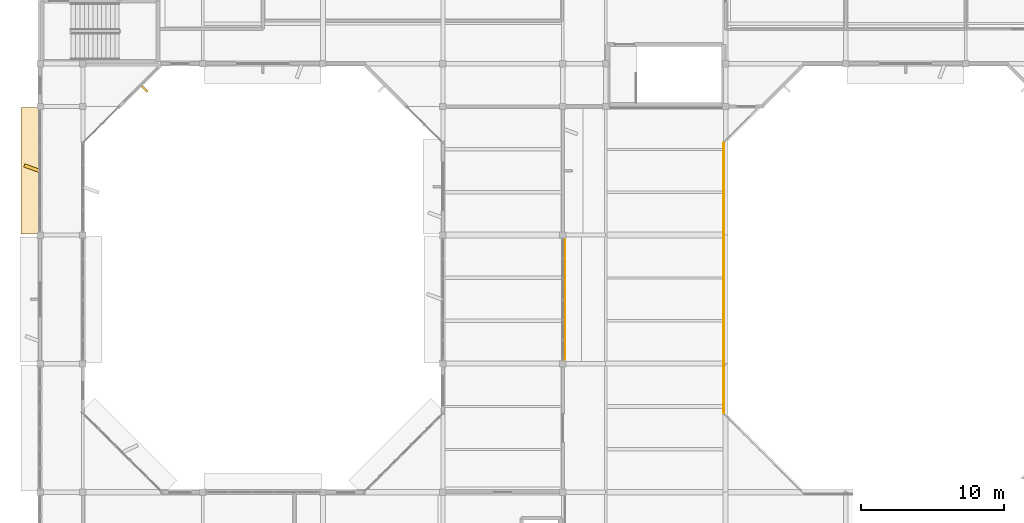
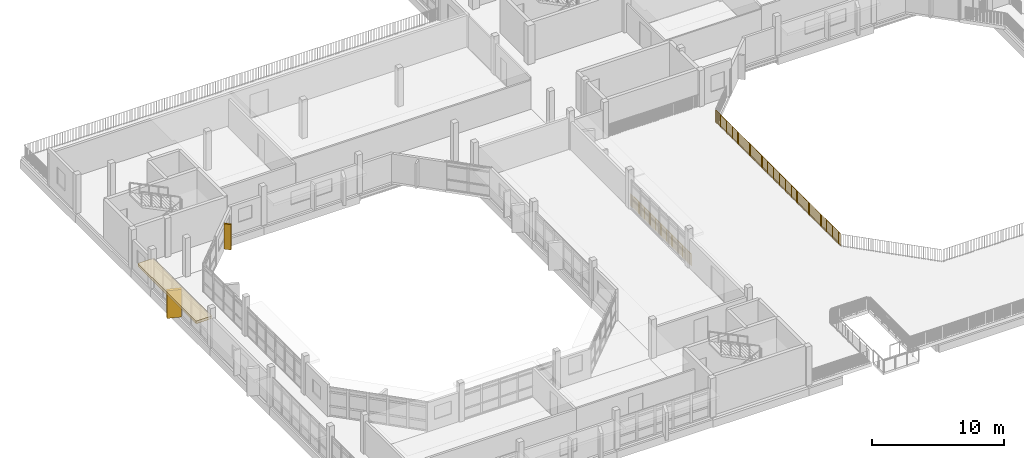
# One storey, part 33 of 42: 2 coverings, 2 railings, 1 shading device.
"""IFC4 building model written with IfcOpenShell, lengths in metres."""

from ifc_helpers import new_model, si_unit, direction, frame, origin, origin_2d, place, context, subcontext, project, spatial, rectangle, circle, extrude, material, layer, layer_set, type_object, element, save


model = new_model("IFC4")

# Units and contexts
model_context = context("Model", 3, precision=1e-05, world=origin(), true_north=direction((0.0, 1.0)))
body_context = subcontext(model_context, "Body", "Model", "MODEL_VIEW")
ifc_project = project(units=[si_unit("LENGTHUNIT", "METRE"), si_unit("AREAUNIT", "SQUARE_METRE"), si_unit("VOLUMEUNIT", "CUBIC_METRE"), si_unit("PLANEANGLEUNIT", "RADIAN"), si_unit("MASSUNIT", "GRAM", prefix="KILO")], contexts=[model_context])

# Site, building, storey
site_placement = place(None, origin())
site = spatial("IfcSite", under=ifc_project, at=site_placement, CompositionType="ELEMENT")
building_placement = place(site_placement, origin())
building = spatial("IfcBuilding", under=site, at=building_placement, Name="Vanh Quang Courtyard School", CompositionType="ELEMENT")
storey_placement = place(building_placement, frame((0.0, 0.0, 15.0)))
storey = spatial("IfcBuildingStorey", under=building, at=storey_placement, Name="L04", CompositionType="ELEMENT", Elevation=15.0)

# Coverings
ifc_material_1 = material(Name="Board-marked precast concrete C40/50", Category="concrete")
ifc_layer = layer(ifc_material_1, 0.239990234375)
ifc_layer_set = layer_set([ifc_layer], Name="Board-marked precast concrete C40/50")
covering_type = type_object("IfcCoveringType", Name="COV-HOOD-CONC", PredefinedType="CLADDING", material=ifc_layer_set)
covering_1_placement = place(storey_placement, frame((37.179931640625, 63.89990234375, 2.41015625), z_axis=(0.0, 0.0, 1.0), x_axis=(0.0, 1.0, 0.0)))
element("IfcCovering", 1, at=covering_1_placement, inside=storey, type_object=covering_type, Name="Covering CH-01 (L04)", PredefinedType="CLADDING", context=body_context, shape_type="SweptSolid", body=[
    extrude(rectangle(XDim=8.833984375, YDim=1.39990234375, at=origin_2d()), origin(), (0.0, 0.0, 1.0), 0.239990234375),
])
covering_2_placement = place(storey_placement, frame((37.215087890625, 64.090087890625, 0.0), z_axis=(0.0, 0.0, 1.0), x_axis=(-0.94028812701, 0.340379550213, 0.0)))
element("IfcCovering", 2, at=covering_2_placement, inside=storey, type_object=covering_type, Name="Covering CH-01 (L04)", PredefinedType="CLADDING", context=body_context, shape_type="SweptSolid", body=[
    extrude(rectangle(XDim=1.11669921875, YDim=0.239990234375, at=origin_2d()), origin(), (0.0, 0.0, 1.0), 2.56005859375),
])

# Railings
ifc_material_2 = material(Name="Galvanised painted steel EN 10025-2 S355J2", Category="steel")
railing_type = type_object("IfcRailingType", Name="RAIL-GUARD-1150", PredefinedType="BALUSTRADE", material=ifc_material_2)
railing_1_placement = place(storey_placement, frame((74.5400390625, 50.319580078125, 0.0)))
element("IfcRailing", 3, at=railing_1_placement, inside=storey, type_object=railing_type, Name="Railing GR-01 (L04)", PredefinedType="BALUSTRADE", context=body_context, shape_type="SweptSolid", body=[
    extrude(circle(Radius=0.02392578125, at=origin_2d()), frame((0.0, 0.0, 1.1259765625), z_axis=(0.0, 1.0, 0.0), x_axis=(-1.0, 0.0, 0.0)), (0.0, 0.0, 1.0), 9.16064453125),
    extrude(circle(Radius=0.02099609375, at=origin_2d()), origin(), (0.0, 0.0, 1.0), 1.101806640625),
    extrude(circle(Radius=0.02099609375, at=origin_2d()), frame((0.0, 0.138916015625, 0.0)), (0.0, 0.0, 1.0), 1.101806640625),
    extrude(circle(Radius=0.02099609375, at=origin_2d()), frame((0.0, 0.277587890625, 0.0)), (0.0, 0.0, 1.0), 1.101806640625),
    extrude(circle(Radius=0.02099609375, at=origin_2d()), frame((0.0, 0.41650390625, 0.0)), (0.0, 0.0, 1.0), 1.101806640625),
    extrude(circle(Radius=0.02099609375, at=origin_2d()), frame((0.0, 0.55517578125, 0.0)), (0.0, 0.0, 1.0), 1.101806640625),
    extrude(circle(Radius=0.02099609375, at=origin_2d()), frame((0.0, 0.694091796875, 0.0)), (0.0, 0.0, 1.0), 1.101806640625),
    extrude(circle(Radius=0.02099609375, at=origin_2d()), frame((0.0, 0.832763671875, 0.0)), (0.0, 0.0, 1.0), 1.101806640625),
    extrude(circle(Radius=0.02099609375, at=origin_2d()), frame((0.0, 0.9716796875, 0.0)), (0.0, 0.0, 1.0), 1.101806640625),
    extrude(circle(Radius=0.02099609375, at=origin_2d()), frame((0.0, 1.1103515625, 0.0)), (0.0, 0.0, 1.0), 1.101806640625),
    extrude(circle(Radius=0.02099609375, at=origin_2d()), frame((0.0, 1.249267578125, 0.0)), (0.0, 0.0, 1.0), 1.101806640625),
    extrude(circle(Radius=0.02099609375, at=origin_2d()), frame((0.0, 1.387939453125, 0.0)), (0.0, 0.0, 1.0), 1.101806640625),
    extrude(circle(Radius=0.02099609375, at=origin_2d()), frame((0.0, 1.52685546875, 0.0)), (0.0, 0.0, 1.0), 1.101806640625),
    extrude(circle(Radius=0.02099609375, at=origin_2d()), frame((0.0, 1.66552734375, 0.0)), (0.0, 0.0, 1.0), 1.101806640625),
    extrude(circle(Radius=0.02099609375, at=origin_2d()), frame((0.0, 1.804443359375, 0.0)), (0.0, 0.0, 1.0), 1.101806640625),
    extrude(circle(Radius=0.02099609375, at=origin_2d()), frame((0.0, 1.943115234375, 0.0)), (0.0, 0.0, 1.0), 1.101806640625),
    extrude(circle(Radius=0.02099609375, at=origin_2d()), frame((0.0, 2.08203125, 0.0)), (0.0, 0.0, 1.0), 1.101806640625),
    extrude(circle(Radius=0.02099609375, at=origin_2d()), frame((0.0, 2.220703125, 0.0)), (0.0, 0.0, 1.0), 1.101806640625),
    extrude(circle(Radius=0.02099609375, at=origin_2d()), frame((0.0, 2.359619140625, 0.0)), (0.0, 0.0, 1.0), 1.101806640625),
    extrude(circle(Radius=0.02099609375, at=origin_2d()), frame((0.0, 2.498291015625, 0.0)), (0.0, 0.0, 1.0), 1.101806640625),
    extrude(circle(Radius=0.02099609375, at=origin_2d()), frame((0.0, 2.63720703125, 0.0)), (0.0, 0.0, 1.0), 1.101806640625),
    extrude(circle(Radius=0.02099609375, at=origin_2d()), frame((0.0, 2.77587890625, 0.0)), (0.0, 0.0, 1.0), 1.101806640625),
    extrude(circle(Radius=0.02099609375, at=origin_2d()), frame((0.0, 2.914794921875, 0.0)), (0.0, 0.0, 1.0), 1.101806640625),
    extrude(circle(Radius=0.02099609375, at=origin_2d()), frame((0.0, 3.053466796875, 0.0)), (0.0, 0.0, 1.0), 1.101806640625),
    extrude(circle(Radius=0.02099609375, at=origin_2d()), frame((0.0, 3.1923828125, 0.0)), (0.0, 0.0, 1.0), 1.101806640625),
    extrude(circle(Radius=0.02099609375, at=origin_2d()), frame((0.0, 3.3310546875, 0.0)), (0.0, 0.0, 1.0), 1.101806640625),
    extrude(circle(Radius=0.02099609375, at=origin_2d()), frame((0.0, 3.469970703125, 0.0)), (0.0, 0.0, 1.0), 1.101806640625),
    extrude(circle(Radius=0.02099609375, at=origin_2d()), frame((0.0, 3.608642578125, 0.0)), (0.0, 0.0, 1.0), 1.101806640625),
    extrude(circle(Radius=0.02099609375, at=origin_2d()), frame((0.0, 3.74755859375, 0.0)), (0.0, 0.0, 1.0), 1.101806640625),
    extrude(circle(Radius=0.02099609375, at=origin_2d()), frame((0.0, 3.88623046875, 0.0)), (0.0, 0.0, 1.0), 1.101806640625),
    extrude(circle(Radius=0.02099609375, at=origin_2d()), frame((0.0, 4.025146484375, 0.0)), (0.0, 0.0, 1.0), 1.101806640625),
    extrude(circle(Radius=0.02099609375, at=origin_2d()), frame((0.0, 4.163818359375, 0.0)), (0.0, 0.0, 1.0), 1.101806640625),
    extrude(circle(Radius=0.02099609375, at=origin_2d()), frame((0.0, 4.302734375, 0.0)), (0.0, 0.0, 1.0), 1.101806640625),
    extrude(circle(Radius=0.02099609375, at=origin_2d()), frame((0.0, 4.44140625, 0.0)), (0.0, 0.0, 1.0), 1.101806640625),
    extrude(circle(Radius=0.02099609375, at=origin_2d()), frame((0.0, 4.580322265625, 0.0)), (0.0, 0.0, 1.0), 1.101806640625),
    extrude(circle(Radius=0.02099609375, at=origin_2d()), frame((0.0, 4.71923828125, 0.0)), (0.0, 0.0, 1.0), 1.101806640625),
    extrude(circle(Radius=0.02099609375, at=origin_2d()), frame((0.0, 4.85791015625, 0.0)), (0.0, 0.0, 1.0), 1.101806640625),
    extrude(circle(Radius=0.02099609375, at=origin_2d()), frame((0.0, 4.996826171875, 0.0)), (0.0, 0.0, 1.0), 1.101806640625),
    extrude(circle(Radius=0.02099609375, at=origin_2d()), frame((0.0, 5.135498046875, 0.0)), (0.0, 0.0, 1.0), 1.101806640625),
    extrude(circle(Radius=0.02099609375, at=origin_2d()), frame((0.0, 5.2744140625, 0.0)), (0.0, 0.0, 1.0), 1.101806640625),
    extrude(circle(Radius=0.02099609375, at=origin_2d()), frame((0.0, 5.4130859375, 0.0)), (0.0, 0.0, 1.0), 1.101806640625),
    extrude(circle(Radius=0.02099609375, at=origin_2d()), frame((0.0, 5.552001953125, 0.0)), (0.0, 0.0, 1.0), 1.101806640625),
    extrude(circle(Radius=0.02099609375, at=origin_2d()), frame((0.0, 5.690673828125, 0.0)), (0.0, 0.0, 1.0), 1.101806640625),
    extrude(circle(Radius=0.02099609375, at=origin_2d()), frame((0.0, 5.82958984375, 0.0)), (0.0, 0.0, 1.0), 1.101806640625),
    extrude(circle(Radius=0.02099609375, at=origin_2d()), frame((0.0, 5.96826171875, 0.0)), (0.0, 0.0, 1.0), 1.101806640625),
    extrude(circle(Radius=0.02099609375, at=origin_2d()), frame((0.0, 6.107177734375, 0.0)), (0.0, 0.0, 1.0), 1.101806640625),
    extrude(circle(Radius=0.02099609375, at=origin_2d()), frame((0.0, 6.245849609375, 0.0)), (0.0, 0.0, 1.0), 1.101806640625),
    extrude(circle(Radius=0.02099609375, at=origin_2d()), frame((0.0, 6.384765625, 0.0)), (0.0, 0.0, 1.0), 1.101806640625),
    extrude(circle(Radius=0.02099609375, at=origin_2d()), frame((0.0, 6.5234375, 0.0)), (0.0, 0.0, 1.0), 1.101806640625),
    extrude(circle(Radius=0.02099609375, at=origin_2d()), frame((0.0, 6.662353515625, 0.0)), (0.0, 0.0, 1.0), 1.101806640625),
    extrude(circle(Radius=0.02099609375, at=origin_2d()), frame((0.0, 6.801025390625, 0.0)), (0.0, 0.0, 1.0), 1.101806640625),
    extrude(circle(Radius=0.02099609375, at=origin_2d()), frame((0.0, 6.93994140625, 0.0)), (0.0, 0.0, 1.0), 1.101806640625),
    extrude(circle(Radius=0.02099609375, at=origin_2d()), frame((0.0, 7.07861328125, 0.0)), (0.0, 0.0, 1.0), 1.101806640625),
    extrude(circle(Radius=0.02099609375, at=origin_2d()), frame((0.0, 7.217529296875, 0.0)), (0.0, 0.0, 1.0), 1.101806640625),
    extrude(circle(Radius=0.02099609375, at=origin_2d()), frame((0.0, 7.356201171875, 0.0)), (0.0, 0.0, 1.0), 1.101806640625),
    extrude(circle(Radius=0.02099609375, at=origin_2d()), frame((0.0, 7.4951171875, 0.0)), (0.0, 0.0, 1.0), 1.101806640625),
    extrude(circle(Radius=0.02099609375, at=origin_2d()), frame((0.0, 7.6337890625, 0.0)), (0.0, 0.0, 1.0), 1.101806640625),
    extrude(circle(Radius=0.02099609375, at=origin_2d()), frame((0.0, 7.772705078125, 0.0)), (0.0, 0.0, 1.0), 1.101806640625),
    extrude(circle(Radius=0.02099609375, at=origin_2d()), frame((0.0, 7.911376953125, 0.0)), (0.0, 0.0, 1.0), 1.101806640625),
    extrude(circle(Radius=0.02099609375, at=origin_2d()), frame((0.0, 8.05029296875, 0.0)), (0.0, 0.0, 1.0), 1.101806640625),
    extrude(circle(Radius=0.02099609375, at=origin_2d()), frame((0.0, 8.18896484375, 0.0)), (0.0, 0.0, 1.0), 1.101806640625),
    extrude(circle(Radius=0.02099609375, at=origin_2d()), frame((0.0, 8.327880859375, 0.0)), (0.0, 0.0, 1.0), 1.101806640625),
    extrude(circle(Radius=0.02099609375, at=origin_2d()), frame((0.0, 8.466552734375, 0.0)), (0.0, 0.0, 1.0), 1.101806640625),
    extrude(circle(Radius=0.02099609375, at=origin_2d()), frame((0.0, 8.60546875, 0.0)), (0.0, 0.0, 1.0), 1.101806640625),
    extrude(circle(Radius=0.02099609375, at=origin_2d()), frame((0.0, 8.744140625, 0.0)), (0.0, 0.0, 1.0), 1.101806640625),
    extrude(circle(Radius=0.02099609375, at=origin_2d()), frame((0.0, 8.883056640625, 0.0)), (0.0, 0.0, 1.0), 1.101806640625),
    extrude(circle(Radius=0.02099609375, at=origin_2d()), frame((0.0, 9.021728515625, 0.0)), (0.0, 0.0, 1.0), 1.101806640625),
    extrude(circle(Radius=0.02099609375, at=origin_2d()), frame((0.0, 9.16064453125, 0.0)), (0.0, 0.0, 1.0), 1.101806640625),
])
railing_2_placement = place(storey_placement, frame((85.659912109375, 65.835205078125, 0.0)))
element("IfcRailing", 4, at=railing_2_placement, inside=storey, type_object=railing_type, Name="Railing GR-01 (L04)", PredefinedType="BALUSTRADE", context=body_context, shape_type="SweptSolid", body=[
    extrude(circle(Radius=0.02392578125, at=origin_2d()), frame((0.0, 0.0, 1.1259765625), z_axis=(0.0, -1.0, 0.0), x_axis=(1.0, 0.0, 0.0)), (0.0, 0.0, 1.0), 18.87060546875),
    extrude(circle(Radius=0.02099609375, at=origin_2d()), origin(), (0.0, 0.0, 1.0), 1.101806640625),
    extrude(circle(Radius=0.02099609375, at=origin_2d()), frame((0.0, -0.139892578125, 0.0)), (0.0, 0.0, 1.0), 1.101806640625),
    extrude(circle(Radius=0.02099609375, at=origin_2d()), frame((0.0, -0.279541015625, 0.0)), (0.0, 0.0, 1.0), 1.101806640625),
    extrude(circle(Radius=0.02099609375, at=origin_2d()), frame((0.0, -0.41943359375, 0.0)), (0.0, 0.0, 1.0), 1.101806640625),
    extrude(circle(Radius=0.02099609375, at=origin_2d()), frame((0.0, -0.55908203125, 0.0)), (0.0, 0.0, 1.0), 1.101806640625),
    extrude(circle(Radius=0.02099609375, at=origin_2d()), frame((0.0, -0.698974609375, 0.0)), (0.0, 0.0, 1.0), 1.101806640625),
    extrude(circle(Radius=0.02099609375, at=origin_2d()), frame((0.0, -0.838623046875, 0.0)), (0.0, 0.0, 1.0), 1.101806640625),
    extrude(circle(Radius=0.02099609375, at=origin_2d()), frame((0.0, -0.978515625, 0.0)), (0.0, 0.0, 1.0), 1.101806640625),
    extrude(circle(Radius=0.02099609375, at=origin_2d()), frame((0.0, -1.1181640625, 0.0)), (0.0, 0.0, 1.0), 1.101806640625),
    extrude(circle(Radius=0.02099609375, at=origin_2d()), frame((0.0, -1.258056640625, 0.0)), (0.0, 0.0, 1.0), 1.101806640625),
    extrude(circle(Radius=0.02099609375, at=origin_2d()), frame((0.0, -1.397705078125, 0.0)), (0.0, 0.0, 1.0), 1.101806640625),
    extrude(circle(Radius=0.02099609375, at=origin_2d()), frame((0.0, -1.53759765625, 0.0)), (0.0, 0.0, 1.0), 1.101806640625),
    extrude(circle(Radius=0.02099609375, at=origin_2d()), frame((0.0, -1.677490234375, 0.0)), (0.0, 0.0, 1.0), 1.101806640625),
    extrude(circle(Radius=0.02099609375, at=origin_2d()), frame((0.0, -1.817138671875, 0.0)), (0.0, 0.0, 1.0), 1.101806640625),
    extrude(circle(Radius=0.02099609375, at=origin_2d()), frame((0.0, -1.95703125, 0.0)), (0.0, 0.0, 1.0), 1.101806640625),
    extrude(circle(Radius=0.02099609375, at=origin_2d()), frame((0.0, -2.0966796875, 0.0)), (0.0, 0.0, 1.0), 1.101806640625),
    extrude(circle(Radius=0.02099609375, at=origin_2d()), frame((0.0, -2.236572265625, 0.0)), (0.0, 0.0, 1.0), 1.101806640625),
    extrude(circle(Radius=0.02099609375, at=origin_2d()), frame((0.0, -2.376220703125, 0.0)), (0.0, 0.0, 1.0), 1.101806640625),
    extrude(circle(Radius=0.02099609375, at=origin_2d()), frame((0.0, -2.51611328125, 0.0)), (0.0, 0.0, 1.0), 1.101806640625),
    extrude(circle(Radius=0.02099609375, at=origin_2d()), frame((0.0, -2.65576171875, 0.0)), (0.0, 0.0, 1.0), 1.101806640625),
    extrude(circle(Radius=0.02099609375, at=origin_2d()), frame((0.0, -2.795654296875, 0.0)), (0.0, 0.0, 1.0), 1.101806640625),
    extrude(circle(Radius=0.02099609375, at=origin_2d()), frame((0.0, -2.935546875, 0.0)), (0.0, 0.0, 1.0), 1.101806640625),
    extrude(circle(Radius=0.02099609375, at=origin_2d()), frame((0.0, -3.0751953125, 0.0)), (0.0, 0.0, 1.0), 1.101806640625),
    extrude(circle(Radius=0.02099609375, at=origin_2d()), frame((0.0, -3.215087890625, 0.0)), (0.0, 0.0, 1.0), 1.101806640625),
    extrude(circle(Radius=0.02099609375, at=origin_2d()), frame((0.0, -3.354736328125, 0.0)), (0.0, 0.0, 1.0), 1.101806640625),
    extrude(circle(Radius=0.02099609375, at=origin_2d()), frame((0.0, -3.49462890625, 0.0)), (0.0, 0.0, 1.0), 1.101806640625),
    extrude(circle(Radius=0.02099609375, at=origin_2d()), frame((0.0, -3.63427734375, 0.0)), (0.0, 0.0, 1.0), 1.101806640625),
    extrude(circle(Radius=0.02099609375, at=origin_2d()), frame((0.0, -3.774169921875, 0.0)), (0.0, 0.0, 1.0), 1.101806640625),
    extrude(circle(Radius=0.02099609375, at=origin_2d()), frame((0.0, -3.913818359375, 0.0)), (0.0, 0.0, 1.0), 1.101806640625),
    extrude(circle(Radius=0.02099609375, at=origin_2d()), frame((0.0, -4.0537109375, 0.0)), (0.0, 0.0, 1.0), 1.101806640625),
    extrude(circle(Radius=0.02099609375, at=origin_2d()), frame((0.0, -4.193359375, 0.0)), (0.0, 0.0, 1.0), 1.101806640625),
    extrude(circle(Radius=0.02099609375, at=origin_2d()), frame((0.0, -4.333251953125, 0.0)), (0.0, 0.0, 1.0), 1.101806640625),
    extrude(circle(Radius=0.02099609375, at=origin_2d()), frame((0.0, -4.47314453125, 0.0)), (0.0, 0.0, 1.0), 1.101806640625),
    extrude(circle(Radius=0.02099609375, at=origin_2d()), frame((0.0, -4.61279296875, 0.0)), (0.0, 0.0, 1.0), 1.101806640625),
    extrude(circle(Radius=0.02099609375, at=origin_2d()), frame((0.0, -4.752685546875, 0.0)), (0.0, 0.0, 1.0), 1.101806640625),
    extrude(circle(Radius=0.02099609375, at=origin_2d()), frame((0.0, -4.892333984375, 0.0)), (0.0, 0.0, 1.0), 1.101806640625),
    extrude(circle(Radius=0.02099609375, at=origin_2d()), frame((0.0, -5.0322265625, 0.0)), (0.0, 0.0, 1.0), 1.101806640625),
    extrude(circle(Radius=0.02099609375, at=origin_2d()), frame((0.0, -5.171875, 0.0)), (0.0, 0.0, 1.0), 1.101806640625),
    extrude(circle(Radius=0.02099609375, at=origin_2d()), frame((0.0, -5.311767578125, 0.0)), (0.0, 0.0, 1.0), 1.101806640625),
    extrude(circle(Radius=0.02099609375, at=origin_2d()), frame((0.0, -5.451416015625, 0.0)), (0.0, 0.0, 1.0), 1.101806640625),
    extrude(circle(Radius=0.02099609375, at=origin_2d()), frame((0.0, -5.59130859375, 0.0)), (0.0, 0.0, 1.0), 1.101806640625),
    extrude(circle(Radius=0.02099609375, at=origin_2d()), frame((0.0, -5.73095703125, 0.0)), (0.0, 0.0, 1.0), 1.101806640625),
    extrude(circle(Radius=0.02099609375, at=origin_2d()), frame((0.0, -5.870849609375, 0.0)), (0.0, 0.0, 1.0), 1.101806640625),
    extrude(circle(Radius=0.02099609375, at=origin_2d()), frame((0.0, -6.0107421875, 0.0)), (0.0, 0.0, 1.0), 1.101806640625),
    extrude(circle(Radius=0.02099609375, at=origin_2d()), frame((0.0, -6.150390625, 0.0)), (0.0, 0.0, 1.0), 1.101806640625),
    extrude(circle(Radius=0.02099609375, at=origin_2d()), frame((0.0, -6.290283203125, 0.0)), (0.0, 0.0, 1.0), 1.101806640625),
    extrude(circle(Radius=0.02099609375, at=origin_2d()), frame((0.0, -6.429931640625, 0.0)), (0.0, 0.0, 1.0), 1.101806640625),
    extrude(circle(Radius=0.02099609375, at=origin_2d()), frame((0.0, -6.56982421875, 0.0)), (0.0, 0.0, 1.0), 1.101806640625),
    extrude(circle(Radius=0.02099609375, at=origin_2d()), frame((0.0, -6.70947265625, 0.0)), (0.0, 0.0, 1.0), 1.101806640625),
    extrude(circle(Radius=0.02099609375, at=origin_2d()), frame((0.0, -6.849365234375, 0.0)), (0.0, 0.0, 1.0), 1.101806640625),
    extrude(circle(Radius=0.02099609375, at=origin_2d()), frame((0.0, -6.989013671875, 0.0)), (0.0, 0.0, 1.0), 1.101806640625),
    extrude(circle(Radius=0.02099609375, at=origin_2d()), frame((0.0, -7.12890625, 0.0)), (0.0, 0.0, 1.0), 1.101806640625),
    extrude(circle(Radius=0.02099609375, at=origin_2d()), frame((0.0, -7.268798828125, 0.0)), (0.0, 0.0, 1.0), 1.101806640625),
    extrude(circle(Radius=0.02099609375, at=origin_2d()), frame((0.0, -7.408447265625, 0.0)), (0.0, 0.0, 1.0), 1.101806640625),
    extrude(circle(Radius=0.02099609375, at=origin_2d()), frame((0.0, -7.54833984375, 0.0)), (0.0, 0.0, 1.0), 1.101806640625),
    extrude(circle(Radius=0.02099609375, at=origin_2d()), frame((0.0, -7.68798828125, 0.0)), (0.0, 0.0, 1.0), 1.101806640625),
    extrude(circle(Radius=0.02099609375, at=origin_2d()), frame((0.0, -7.827880859375, 0.0)), (0.0, 0.0, 1.0), 1.101806640625),
    extrude(circle(Radius=0.02099609375, at=origin_2d()), frame((0.0, -7.967529296875, 0.0)), (0.0, 0.0, 1.0), 1.101806640625),
    extrude(circle(Radius=0.02099609375, at=origin_2d()), frame((0.0, -8.107421875, 0.0)), (0.0, 0.0, 1.0), 1.101806640625),
    extrude(circle(Radius=0.02099609375, at=origin_2d()), frame((0.0, -8.2470703125, 0.0)), (0.0, 0.0, 1.0), 1.101806640625),
    extrude(circle(Radius=0.02099609375, at=origin_2d()), frame((0.0, -8.386962890625, 0.0)), (0.0, 0.0, 1.0), 1.101806640625),
    extrude(circle(Radius=0.02099609375, at=origin_2d()), frame((0.0, -8.526611328125, 0.0)), (0.0, 0.0, 1.0), 1.101806640625),
    extrude(circle(Radius=0.02099609375, at=origin_2d()), frame((0.0, -8.66650390625, 0.0)), (0.0, 0.0, 1.0), 1.101806640625),
    extrude(circle(Radius=0.02099609375, at=origin_2d()), frame((0.0, -8.806396484375, 0.0)), (0.0, 0.0, 1.0), 1.101806640625),
    extrude(circle(Radius=0.02099609375, at=origin_2d()), frame((0.0, -8.946044921875, 0.0)), (0.0, 0.0, 1.0), 1.101806640625),
    extrude(circle(Radius=0.02099609375, at=origin_2d()), frame((0.0, -9.0859375, 0.0)), (0.0, 0.0, 1.0), 1.101806640625),
    extrude(circle(Radius=0.02099609375, at=origin_2d()), frame((0.0, -9.2255859375, 0.0)), (0.0, 0.0, 1.0), 1.101806640625),
    extrude(circle(Radius=0.02099609375, at=origin_2d()), frame((0.0, -9.365478515625, 0.0)), (0.0, 0.0, 1.0), 1.101806640625),
    extrude(circle(Radius=0.02099609375, at=origin_2d()), frame((0.0, -9.505126953125, 0.0)), (0.0, 0.0, 1.0), 1.101806640625),
    extrude(circle(Radius=0.02099609375, at=origin_2d()), frame((0.0, -9.64501953125, 0.0)), (0.0, 0.0, 1.0), 1.101806640625),
    extrude(circle(Radius=0.02099609375, at=origin_2d()), frame((0.0, -9.78466796875, 0.0)), (0.0, 0.0, 1.0), 1.101806640625),
    extrude(circle(Radius=0.02099609375, at=origin_2d()), frame((0.0, -9.924560546875, 0.0)), (0.0, 0.0, 1.0), 1.101806640625),
    extrude(circle(Radius=0.02099609375, at=origin_2d()), frame((0.0, -10.064208984375, 0.0)), (0.0, 0.0, 1.0), 1.101806640625),
    extrude(circle(Radius=0.02099609375, at=origin_2d()), frame((0.0, -10.2041015625, 0.0)), (0.0, 0.0, 1.0), 1.101806640625),
    extrude(circle(Radius=0.02099609375, at=origin_2d()), frame((0.0, -10.343994140625, 0.0)), (0.0, 0.0, 1.0), 1.101806640625),
    extrude(circle(Radius=0.02099609375, at=origin_2d()), frame((0.0, -10.483642578125, 0.0)), (0.0, 0.0, 1.0), 1.101806640625),
    extrude(circle(Radius=0.02099609375, at=origin_2d()), frame((0.0, -10.62353515625, 0.0)), (0.0, 0.0, 1.0), 1.101806640625),
    extrude(circle(Radius=0.02099609375, at=origin_2d()), frame((0.0, -10.76318359375, 0.0)), (0.0, 0.0, 1.0), 1.101806640625),
    extrude(circle(Radius=0.02099609375, at=origin_2d()), frame((0.0, -10.903076171875, 0.0)), (0.0, 0.0, 1.0), 1.101806640625),
    extrude(circle(Radius=0.02099609375, at=origin_2d()), frame((0.0, -11.042724609375, 0.0)), (0.0, 0.0, 1.0), 1.101806640625),
    extrude(circle(Radius=0.02099609375, at=origin_2d()), frame((0.0, -11.1826171875, 0.0)), (0.0, 0.0, 1.0), 1.101806640625),
    extrude(circle(Radius=0.02099609375, at=origin_2d()), frame((0.0, -11.322265625, 0.0)), (0.0, 0.0, 1.0), 1.101806640625),
    extrude(circle(Radius=0.02099609375, at=origin_2d()), frame((0.0, -11.462158203125, 0.0)), (0.0, 0.0, 1.0), 1.101806640625),
    extrude(circle(Radius=0.02099609375, at=origin_2d()), frame((0.0, -11.601806640625, 0.0)), (0.0, 0.0, 1.0), 1.101806640625),
    extrude(circle(Radius=0.02099609375, at=origin_2d()), frame((0.0, -11.74169921875, 0.0)), (0.0, 0.0, 1.0), 1.101806640625),
    extrude(circle(Radius=0.02099609375, at=origin_2d()), frame((0.0, -11.881591796875, 0.0)), (0.0, 0.0, 1.0), 1.101806640625),
    extrude(circle(Radius=0.02099609375, at=origin_2d()), frame((0.0, -12.021240234375, 0.0)), (0.0, 0.0, 1.0), 1.101806640625),
    extrude(circle(Radius=0.02099609375, at=origin_2d()), frame((0.0, -12.1611328125, 0.0)), (0.0, 0.0, 1.0), 1.101806640625),
    extrude(circle(Radius=0.02099609375, at=origin_2d()), frame((0.0, -12.30078125, 0.0)), (0.0, 0.0, 1.0), 1.101806640625),
    extrude(circle(Radius=0.02099609375, at=origin_2d()), frame((0.0, -12.440673828125, 0.0)), (0.0, 0.0, 1.0), 1.101806640625),
    extrude(circle(Radius=0.02099609375, at=origin_2d()), frame((0.0, -12.580322265625, 0.0)), (0.0, 0.0, 1.0), 1.101806640625),
    extrude(circle(Radius=0.02099609375, at=origin_2d()), frame((0.0, -12.72021484375, 0.0)), (0.0, 0.0, 1.0), 1.101806640625),
    extrude(circle(Radius=0.02099609375, at=origin_2d()), frame((0.0, -12.85986328125, 0.0)), (0.0, 0.0, 1.0), 1.101806640625),
    extrude(circle(Radius=0.02099609375, at=origin_2d()), frame((0.0, -12.999755859375, 0.0)), (0.0, 0.0, 1.0), 1.101806640625),
    extrude(circle(Radius=0.02099609375, at=origin_2d()), frame((0.0, -13.1396484375, 0.0)), (0.0, 0.0, 1.0), 1.101806640625),
    extrude(circle(Radius=0.02099609375, at=origin_2d()), frame((0.0, -13.279296875, 0.0)), (0.0, 0.0, 1.0), 1.101806640625),
    extrude(circle(Radius=0.02099609375, at=origin_2d()), frame((0.0, -13.419189453125, 0.0)), (0.0, 0.0, 1.0), 1.101806640625),
    extrude(circle(Radius=0.02099609375, at=origin_2d()), frame((0.0, -13.558837890625, 0.0)), (0.0, 0.0, 1.0), 1.101806640625),
    extrude(circle(Radius=0.02099609375, at=origin_2d()), frame((0.0, -13.69873046875, 0.0)), (0.0, 0.0, 1.0), 1.101806640625),
    extrude(circle(Radius=0.02099609375, at=origin_2d()), frame((0.0, -13.83837890625, 0.0)), (0.0, 0.0, 1.0), 1.101806640625),
    extrude(circle(Radius=0.02099609375, at=origin_2d()), frame((0.0, -13.978271484375, 0.0)), (0.0, 0.0, 1.0), 1.101806640625),
    extrude(circle(Radius=0.02099609375, at=origin_2d()), frame((0.0, -14.117919921875, 0.0)), (0.0, 0.0, 1.0), 1.101806640625),
    extrude(circle(Radius=0.02099609375, at=origin_2d()), frame((0.0, -14.2578125, 0.0)), (0.0, 0.0, 1.0), 1.101806640625),
    extrude(circle(Radius=0.02099609375, at=origin_2d()), frame((0.0, -14.3974609375, 0.0)), (0.0, 0.0, 1.0), 1.101806640625),
    extrude(circle(Radius=0.02099609375, at=origin_2d()), frame((0.0, -14.537353515625, 0.0)), (0.0, 0.0, 1.0), 1.101806640625),
    extrude(circle(Radius=0.02099609375, at=origin_2d()), frame((0.0, -14.67724609375, 0.0)), (0.0, 0.0, 1.0), 1.101806640625),
    extrude(circle(Radius=0.02099609375, at=origin_2d()), frame((0.0, -14.81689453125, 0.0)), (0.0, 0.0, 1.0), 1.101806640625),
    extrude(circle(Radius=0.02099609375, at=origin_2d()), frame((0.0, -14.956787109375, 0.0)), (0.0, 0.0, 1.0), 1.101806640625),
    extrude(circle(Radius=0.02099609375, at=origin_2d()), frame((0.0, -15.096435546875, 0.0)), (0.0, 0.0, 1.0), 1.101806640625),
    extrude(circle(Radius=0.02099609375, at=origin_2d()), frame((0.0, -15.236328125, 0.0)), (0.0, 0.0, 1.0), 1.101806640625),
    extrude(circle(Radius=0.02099609375, at=origin_2d()), frame((0.0, -15.3759765625, 0.0)), (0.0, 0.0, 1.0), 1.101806640625),
    extrude(circle(Radius=0.02099609375, at=origin_2d()), frame((0.0, -15.515869140625, 0.0)), (0.0, 0.0, 1.0), 1.101806640625),
    extrude(circle(Radius=0.02099609375, at=origin_2d()), frame((0.0, -15.655517578125, 0.0)), (0.0, 0.0, 1.0), 1.101806640625),
    extrude(circle(Radius=0.02099609375, at=origin_2d()), frame((0.0, -15.79541015625, 0.0)), (0.0, 0.0, 1.0), 1.101806640625),
    extrude(circle(Radius=0.02099609375, at=origin_2d()), frame((0.0, -15.93505859375, 0.0)), (0.0, 0.0, 1.0), 1.101806640625),
    extrude(circle(Radius=0.02099609375, at=origin_2d()), frame((0.0, -16.074951171875, 0.0)), (0.0, 0.0, 1.0), 1.101806640625),
    extrude(circle(Radius=0.02099609375, at=origin_2d()), frame((0.0, -16.21484375, 0.0)), (0.0, 0.0, 1.0), 1.101806640625),
    extrude(circle(Radius=0.02099609375, at=origin_2d()), frame((0.0, -16.3544921875, 0.0)), (0.0, 0.0, 1.0), 1.101806640625),
    extrude(circle(Radius=0.02099609375, at=origin_2d()), frame((0.0, -16.494384765625, 0.0)), (0.0, 0.0, 1.0), 1.101806640625),
    extrude(circle(Radius=0.02099609375, at=origin_2d()), frame((0.0, -16.634033203125, 0.0)), (0.0, 0.0, 1.0), 1.101806640625),
    extrude(circle(Radius=0.02099609375, at=origin_2d()), frame((0.0, -16.77392578125, 0.0)), (0.0, 0.0, 1.0), 1.101806640625),
    extrude(circle(Radius=0.02099609375, at=origin_2d()), frame((0.0, -16.91357421875, 0.0)), (0.0, 0.0, 1.0), 1.101806640625),
    extrude(circle(Radius=0.02099609375, at=origin_2d()), frame((0.0, -17.053466796875, 0.0)), (0.0, 0.0, 1.0), 1.101806640625),
    extrude(circle(Radius=0.02099609375, at=origin_2d()), frame((0.0, -17.193115234375, 0.0)), (0.0, 0.0, 1.0), 1.101806640625),
    extrude(circle(Radius=0.02099609375, at=origin_2d()), frame((0.0, -17.3330078125, 0.0)), (0.0, 0.0, 1.0), 1.101806640625),
    extrude(circle(Radius=0.02099609375, at=origin_2d()), frame((0.0, -17.472900390625, 0.0)), (0.0, 0.0, 1.0), 1.101806640625),
    extrude(circle(Radius=0.02099609375, at=origin_2d()), frame((0.0, -17.612548828125, 0.0)), (0.0, 0.0, 1.0), 1.101806640625),
    extrude(circle(Radius=0.02099609375, at=origin_2d()), frame((0.0, -17.75244140625, 0.0)), (0.0, 0.0, 1.0), 1.101806640625),
    extrude(circle(Radius=0.02099609375, at=origin_2d()), frame((0.0, -17.89208984375, 0.0)), (0.0, 0.0, 1.0), 1.101806640625),
    extrude(circle(Radius=0.02099609375, at=origin_2d()), frame((0.0, -18.031982421875, 0.0)), (0.0, 0.0, 1.0), 1.101806640625),
    extrude(circle(Radius=0.02099609375, at=origin_2d()), frame((0.0, -18.171630859375, 0.0)), (0.0, 0.0, 1.0), 1.101806640625),
    extrude(circle(Radius=0.02099609375, at=origin_2d()), frame((0.0, -18.3115234375, 0.0)), (0.0, 0.0, 1.0), 1.101806640625),
    extrude(circle(Radius=0.02099609375, at=origin_2d()), frame((0.0, -18.451171875, 0.0)), (0.0, 0.0, 1.0), 1.101806640625),
    extrude(circle(Radius=0.02099609375, at=origin_2d()), frame((0.0, -18.591064453125, 0.0)), (0.0, 0.0, 1.0), 1.101806640625),
    extrude(circle(Radius=0.02099609375, at=origin_2d()), frame((0.0, -18.730712890625, 0.0)), (0.0, 0.0, 1.0), 1.101806640625),
    extrude(circle(Radius=0.02099609375, at=origin_2d()), frame((0.0, -18.87060546875, 0.0)), (0.0, 0.0, 1.0), 1.101806640625),
])

# Shading device
shading_device_type = type_object("IfcShadingDeviceType", Name="SHD-FIN-CONCRETE", PredefinedType="USERDEFINED", material=ifc_material_1)
shading_device_placement = place(storey_placement, frame((45.1162109375, 69.627685546875, 0.14990234375), z_axis=(0.0, 0.0, 1.0), x_axis=(-0.707106781187, -0.707106781187, 0.0)))
element("IfcShadingDevice", 5, at=shading_device_placement, inside=storey, type_object=shading_device_type, Name="Solar Shading SH-02 (L04)", ObjectType="Solar Shading SH-02 (L04)", PredefinedType="USERDEFINED", context=body_context, shape_type="SweptSolid", body=[
    extrude(rectangle(XDim=0.139892578125, YDim=0.550048828125, at=origin_2d()), origin(), (0.0, 0.0, 1.0), 2.35009765625),
])

save(model, "model.ifc")
